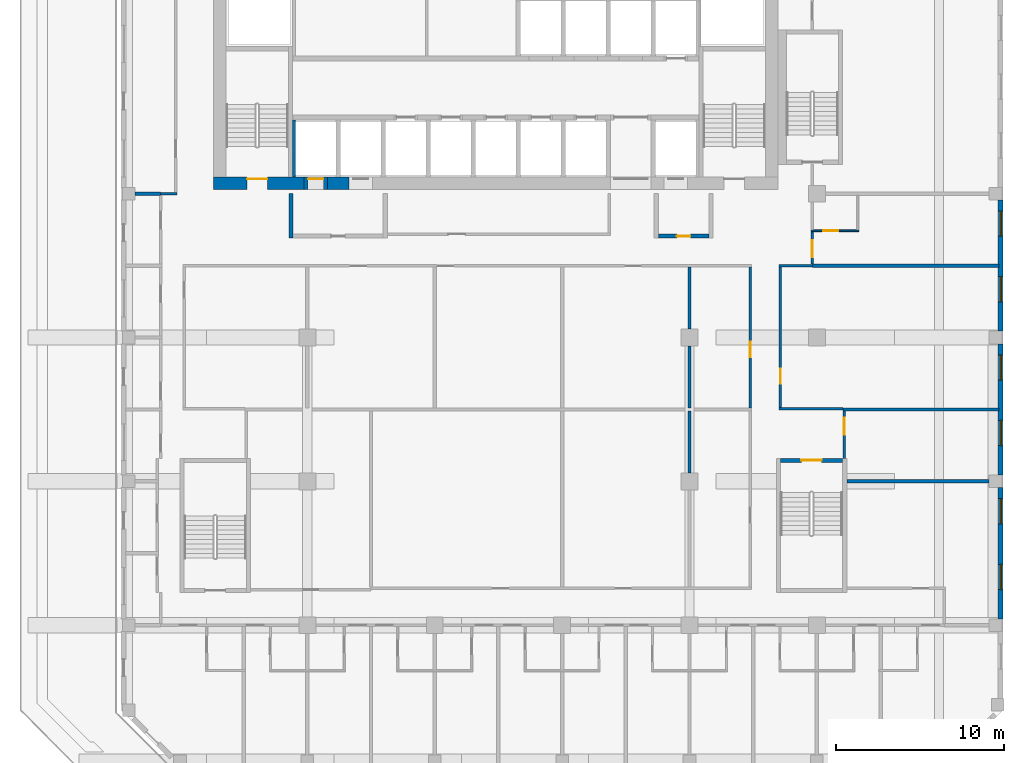
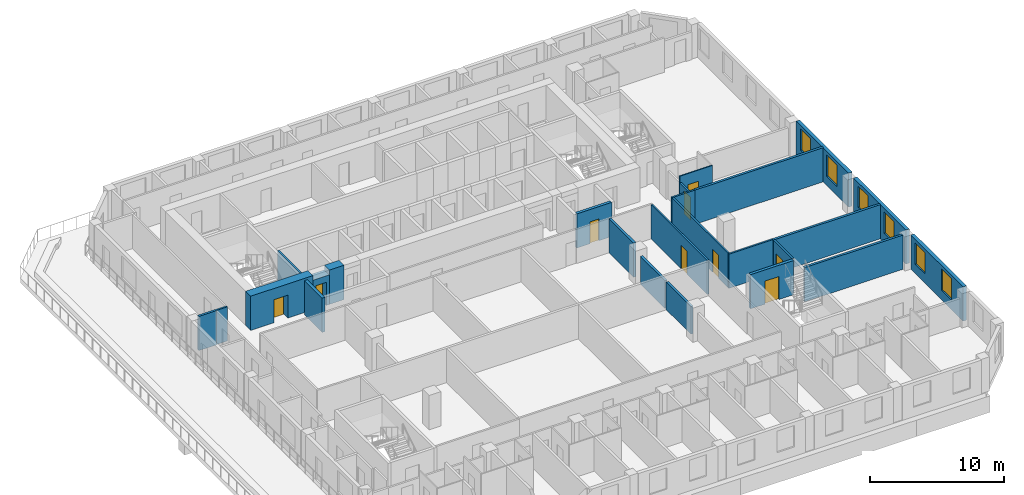
# One storey, part 6 of 16: 25 walls, 9 doors, 6 windows, 15 openings.
"""IFC4 building model written with IfcOpenShell, lengths in metres."""

from ifc_helpers import new_model, si_unit, direction, frame, frame_2d, origin, place, context, subcontext, project, spatial, rectangle, extrude, source, transform, mapped, material, layer, layer_set, type_object, element, fill, save


model = new_model("IFC4")

# Units and contexts
model_context = context("Model", 3, precision=1e-05, world=origin(), true_north=direction((0.0, 1.0)))
body_context = subcontext(model_context, "Body", "Model", "MODEL_VIEW")
ifc_project = project(units=[si_unit("LENGTHUNIT", "METRE"), si_unit("AREAUNIT", "SQUARE_METRE"), si_unit("VOLUMEUNIT", "CUBIC_METRE"), si_unit("PLANEANGLEUNIT", "RADIAN"), si_unit("MASSUNIT", "GRAM", prefix="KILO")], contexts=[model_context])

# Site, building, storey
site_placement = place(None, origin())
site = spatial("IfcSite", under=ifc_project, at=site_placement, CompositionType="ELEMENT")
building_placement = place(site_placement, origin())
building = spatial("IfcBuilding", under=site, at=building_placement, Name="Kilnfold Tower and Market Hall", CompositionType="ELEMENT")
storey_placement = place(building_placement, frame((0.0, 0.0, 199.89990234375)))
storey = spatial("IfcBuildingStorey", under=building, at=storey_placement, Name="L48", CompositionType="ELEMENT", Elevation=199.89990234375)

# Wall
ifc_material_1 = material(Name="Gypsum board on steel studs", Category="steel")
ifc_layer_1 = layer(ifc_material_1, 0.14990234375)
ifc_layer_set_1 = layer_set([ifc_layer_1], Name="Gypsum board on steel studs")
wall_type_1 = type_object("IfcWallType", Name="WALL CORRIDOR 150", PredefinedType="PARTITIONING", material=ifc_layer_set_1)
wall_1_placement = place(storey_placement, frame((-17.925048828125, 8.0, 0.0), z_axis=(0.0, 0.0, 1.0), x_axis=(-1.0, 0.0, 0.0)))
element("IfcWall", 1, at=wall_1_placement, inside=storey, type_object=wall_type_1, Name="Partition LY30.7", PredefinedType="PARTITIONING", context=body_context, shape_type="SweptSolid", body=[
    extrude(rectangle(XDim=0.975830078125, YDim=0.14990234375, at=frame_2d((0.48779296875, 0.0))), origin(), (0.0, 0.0, 1.0), 3.1201171875),
])

# Wall, opening, door
wall_2_placement = place(storey_placement, frame((19.89990234375, 3.80908203125, 0.0), z_axis=(0.0, 0.0, 1.0), x_axis=(0.0, 1.0, 0.0)))
wall_2 = element("IfcWall", 2, at=wall_2_placement, inside=storey, type_object=wall_type_1, Name="Partition LY30.18", PredefinedType="PARTITIONING", context=body_context, shape_type="SweptSolid", body=[
    extrude(rectangle(XDim=1.950927734375, YDim=0.14990234375, at=frame_2d((0.9755859375, 0.0))), origin(), (0.0, 0.0, 1.0), 2.52001953125),
])
opening_1_placement = place(wall_2_placement, frame((0.419921875, 0.0, 0.0)))
opening_1 = element("IfcOpeningElement", 3, at=opening_1_placement, cuts=wall_2, Name="Opening D1", PredefinedType="OPENING", context=body_context, shape_type="SweptSolid", body=[
    extrude(rectangle(XDim=1.0, YDim=2.10009765625, at=frame_2d((0.5, 1.050048828125))), frame((0.0, 0.0849609375, 0.0), z_axis=(0.0, -1.0, 0.0), x_axis=(1.0, 0.0, 0.0)), (0.0, 0.0, 1.0), 0.169921875),
])
ifc_material_2 = material(Name="Timber veneer door leaf in steel frame", Category="steel")
door_type_1 = type_object("IfcDoorType", Name="DOOR ENTRY 1000 X2100", OperationType="NOTDEFINED", PredefinedType="DOOR", material=ifc_material_2)
door_1_placement = place(opening_1_placement, origin())
door_1 = element("IfcDoor", 4, at=door_1_placement, inside=storey, type_object=door_type_1, Name="Door D1", OperationType="SINGLE_SWING_LEFT", OverallHeight=2.10009765625, OverallWidth=1.0, PredefinedType="DOOR", context=body_context, shape_type="SweptSolid", body=[
    extrude(rectangle(XDim=1.0, YDim=2.10009765625, at=frame_2d((0.5, 1.050048828125))), frame((0.0, 0.02490234375, 0.0), z_axis=(0.0, -1.0, 0.0), x_axis=(1.0, 0.0, 0.0)), (0.0, 0.0, 1.0), 0.050048828125),
])
fill(opening_1, door_1)

# Wall
wall_3_placement = place(storey_placement, frame((17.925048828125, 3.699951171875, 0.0), z_axis=(0.0, 0.0, 1.0), x_axis=(1.0, 0.0, 0.0)))
element("IfcWall", 5, at=wall_3_placement, inside=storey, type_object=wall_type_1, Name="Partition LY30.25", PredefinedType="PARTITIONING", context=body_context, shape_type="SweptSolid", body=[
    extrude(rectangle(XDim=1.974853515625, YDim=0.14990234375, at=frame_2d((0.9873046875, 0.0))), origin(), (0.0, 0.0, 1.0), 3.1201171875),
])

# Wall, opening, door
wall_4_placement = place(storey_placement, frame((18.0, -4.72509765625, 0.0), z_axis=(0.0, 0.0, 1.0), x_axis=(0.0, 1.0, 0.0)))
wall_4 = element("IfcWall", 6, at=wall_4_placement, inside=storey, type_object=wall_type_1, Name="Partition LY30.26", PredefinedType="PARTITIONING", context=body_context, shape_type="SweptSolid", body=[
    extrude(rectangle(XDim=8.35009765625, YDim=0.14990234375, at=frame_2d((4.175048828125, 0.0))), origin(), (0.0, 0.0, 1.0), 3.1201171875),
])
opening_2_placement = place(wall_4_placement, frame((1.408935546875, 0.0, 0.0)))
opening_2 = element("IfcOpeningElement", 7, at=opening_2_placement, cuts=wall_4, Name="Opening D2", PredefinedType="OPENING", context=body_context, shape_type="SweptSolid", body=[
    extrude(rectangle(XDim=0.89990234375, YDim=2.10009765625, at=frame_2d((0.449951171875, 1.050048828125))), frame((0.0, 0.0849609375, 0.0), z_axis=(0.0, -1.0, 0.0), x_axis=(1.0, 0.0, 0.0)), (0.0, 0.0, 1.0), 0.169921875),
])
ifc_material_3 = material(Name="Timber veneer door leaf in steel frame", Category="steel")
door_type_2 = type_object("IfcDoorType", Name="DOOR ROOM 900 X2100", OperationType="NOTDEFINED", PredefinedType="DOOR", material=ifc_material_3)
door_2_placement = place(opening_2_placement, origin())
door_2 = element("IfcDoor", 8, at=door_2_placement, inside=storey, type_object=door_type_2, Name="Door D2", OperationType="SINGLE_SWING_LEFT", OverallHeight=2.10009765625, OverallWidth=0.89990234375, PredefinedType="DOOR", context=body_context, shape_type="SweptSolid", body=[
    extrude(rectangle(XDim=0.89990234375, YDim=2.10009765625, at=frame_2d((0.449951171875, 1.050048828125))), frame((0.0, 0.02490234375, 0.0), z_axis=(0.0, -1.0, 0.0), x_axis=(1.0, 0.0, 0.0)), (0.0, 0.0, 1.0), 0.050048828125),
])
fill(opening_2, door_2)

# Wall
wall_5_placement = place(storey_placement, frame((17.925048828125, -4.800048828125, 0.0), z_axis=(0.0, 0.0, 1.0), x_axis=(1.0, 0.0, 0.0)))
element("IfcWall", 9, at=wall_5_placement, inside=storey, type_object=wall_type_1, Name="Partition LY30.27", PredefinedType="PARTITIONING", context=body_context, shape_type="SweptSolid", body=[
    extrude(rectangle(XDim=3.802001953125, YDim=0.14990234375, at=frame_2d((1.90087890625, 0.0))), origin(), (0.0, 0.0, 1.0), 3.1201171875),
])

# Wall, opening, door
wall_6_placement = place(storey_placement, frame((21.800048828125, -7.75, 0.0), z_axis=(0.0, 0.0, 1.0), x_axis=(0.0, 1.0, 0.0)))
wall_6 = element("IfcWall", 10, at=wall_6_placement, inside=storey, type_object=wall_type_1, Name="Partition LY30.28", PredefinedType="PARTITIONING", context=body_context, shape_type="SweptSolid", body=[
    extrude(rectangle(XDim=2.81689453125, YDim=0.14990234375, at=frame_2d((1.408447265625, 0.0))), origin(), (0.0, 0.0, 1.0), 3.1201171875),
])
opening_3_placement = place(wall_6_placement, frame((1.4150390625, 0.0, 0.0)))
opening_3 = element("IfcOpeningElement", 11, at=opening_3_placement, cuts=wall_6, Name="Opening D4", PredefinedType="OPENING", context=body_context, shape_type="SweptSolid", body=[
    extrude(rectangle(XDim=1.0, YDim=2.10009765625, at=frame_2d((0.5, 1.050048828125))), frame((0.0, 0.0849609375, 0.0), z_axis=(0.0, -1.0, 0.0), x_axis=(1.0, 0.0, 0.0)), (0.0, 0.0, 1.0), 0.169921875),
])
ifc_material_4 = material(Name="Timber veneer door leaf in steel frame", Category="steel")
door_type_3 = type_object("IfcDoorType", Name="DOOR SERVICE 1000 X2100", OperationType="NOTDEFINED", PredefinedType="DOOR", material=ifc_material_4)
door_3_placement = place(opening_3_placement, origin())
door_3 = element("IfcDoor", 12, at=door_3_placement, inside=storey, type_object=door_type_3, Name="Door D4", OperationType="SINGLE_SWING_LEFT", OverallHeight=2.10009765625, OverallWidth=1.0, PredefinedType="DOOR", context=body_context, shape_type="SweptSolid", body=[
    extrude(rectangle(XDim=1.0, YDim=2.10009765625, at=frame_2d((0.5, 1.050048828125))), frame((0.0, 0.02490234375, 0.0), z_axis=(0.0, -1.0, 0.0), x_axis=(1.0, 0.0, 0.0)), (0.0, 0.0, 1.0), 0.050048828125),
])
fill(opening_3, door_3)

wall_7_placement = place(storey_placement, frame((16.199951171875, -4.7529296875, 0.0), z_axis=(0.0, 0.0, 1.0), x_axis=(0.0, 1.0, 0.0)))
wall_7 = element("IfcWall", 13, at=wall_7_placement, inside=storey, type_object=wall_type_1, Name="Partition LY30.37", PredefinedType="PARTITIONING", context=body_context, shape_type="SweptSolid", body=[
    extrude(rectangle(XDim=8.3779296875, YDim=0.14990234375, at=frame_2d((4.18896484375, 0.0))), origin(), (0.0, 0.0, 1.0), 3.1201171875),
])
opening_4_placement = place(wall_7_placement, frame((3.031005859375, 0.0, 0.0)))
opening_4 = element("IfcOpeningElement", 14, at=opening_4_placement, cuts=wall_7, Name="Opening D2", PredefinedType="OPENING", context=body_context, shape_type="SweptSolid", body=[
    extrude(rectangle(XDim=0.89990234375, YDim=2.10009765625, at=frame_2d((0.449951171875, 1.050048828125))), frame((0.0, 0.0849609375, 0.0), z_axis=(0.0, -1.0, 0.0), x_axis=(1.0, 0.0, 0.0)), (0.0, 0.0, 1.0), 0.169921875),
])
door_4_placement = place(opening_4_placement, origin())
door_4 = element("IfcDoor", 15, at=door_4_placement, inside=storey, type_object=door_type_2, Name="Door D2", OperationType="SINGLE_SWING_LEFT", OverallHeight=2.10009765625, OverallWidth=0.89990234375, PredefinedType="DOOR", context=body_context, shape_type="SweptSolid", body=[
    extrude(rectangle(XDim=0.89990234375, YDim=2.10009765625, at=frame_2d((0.449951171875, 1.050048828125))), frame((0.0, 0.02490234375, 0.0), z_axis=(0.0, -1.0, 0.0), x_axis=(1.0, 0.0, 0.0)), (0.0, 0.0, 1.0), 0.050048828125),
])
fill(opening_4, door_4)

ifc_material_5 = material(Name="Gypsum board on steel studs", Category="steel")
ifc_layer_2 = layer(ifc_material_5, 0.10009765625)
ifc_layer_set_2 = layer_set([ifc_layer_2], Name="Gypsum board on steel studs")
wall_type_2 = type_object("IfcWallType", Name="WALL PARTITION 100", PredefinedType="PARTITIONING", material=ifc_layer_set_2)
wall_8_placement = place(storey_placement, frame((22.652099609375, 5.800048828125, 0.0), z_axis=(0.0, 0.0, 1.0), x_axis=(-1.0, 0.0, 0.0)))
wall_8 = element("IfcWall", 16, at=wall_8_placement, inside=storey, type_object=wall_type_2, Name="Partition LY30.89", PredefinedType="PARTITIONING", context=body_context, shape_type="SweptSolid", body=[
    extrude(rectangle(XDim=2.8251953125, YDim=0.10009765625, at=frame_2d((1.41259765625, 0.0))), origin(), (0.0, 0.0, 1.0), 3.1201171875),
])
opening_5_placement = place(wall_8_placement, frame((1.217041015625, 0.0, 0.0)))
opening_5 = element("IfcOpeningElement", 17, at=opening_5_placement, cuts=wall_8, Name="Opening D3", PredefinedType="OPENING", context=body_context, shape_type="SweptSolid", body=[
    extrude(rectangle(XDim=0.89990234375, YDim=2.10009765625, at=frame_2d((0.449951171875, 1.050048828125))), frame((0.0, 0.06005859375, 0.0), z_axis=(0.0, -1.0, 0.0), x_axis=(1.0, 0.0, 0.0)), (0.0, 0.0, 1.0), 0.1201171875),
])
ifc_material_6 = material(Name="Timber veneer door leaf in steel frame", Category="steel")
door_type_4 = type_object("IfcDoorType", Name="DOOR WC 900 X2100", OperationType="NOTDEFINED", PredefinedType="DOOR", material=ifc_material_6)
door_5_placement = place(opening_5_placement, origin())
door_5 = element("IfcDoor", 18, at=door_5_placement, inside=storey, type_object=door_type_4, Name="Door D3", OperationType="SINGLE_SWING_LEFT", OverallHeight=2.10009765625, OverallWidth=0.89990234375, PredefinedType="DOOR", context=body_context, shape_type="SweptSolid", body=[
    extrude(rectangle(XDim=0.89990234375, YDim=2.10009765625, at=frame_2d((0.449951171875, 1.050048828125))), frame((0.0, 0.02490234375, 0.0), z_axis=(0.0, -1.0, 0.0), x_axis=(1.0, 0.0, 0.0)), (0.0, 0.0, 1.0), 0.050048828125),
])
fill(opening_5, door_5)

# Walls
ifc_material_7 = material(Name="Gypsum board on steel studs", Category="steel")
ifc_layer_3 = layer(ifc_material_7, 0.199951171875)
ifc_layer_set_3 = layer_set([ifc_layer_3], Name="Gypsum board on steel studs")
wall_type_3 = type_object("IfcWallType", Name="WALL PARTY 200", PredefinedType="PARTITIONING", material=ifc_layer_set_3)
wall_9_placement = place(storey_placement, frame((-20.425048828125, 8.0, 0.0), z_axis=(0.0, 0.0, 1.0), x_axis=(0.999999794741, 0.000640717472, 0.0)))
element("IfcWall", 19, at=wall_9_placement, inside=storey, type_object=wall_type_3, Name="Partition LY30.81", PredefinedType="PARTITIONING", context=body_context, shape_type="SweptSolid", body=[
    extrude(rectangle(XDim=1.524169921875, YDim=0.199951171875, at=frame_2d((0.76220703125, 0.0))), origin(), (0.0, 0.0, 1.0), 3.1201171875),
])
wall_10_placement = place(storey_placement, frame((19.902099609375, 3.718994140625, 0.0), z_axis=(0.0, 0.0, 1.0), x_axis=(1.0, 0.0, 0.0)))
element("IfcWall", 20, at=wall_10_placement, inside=storey, type_object=wall_type_3, Name="Partition LY30.91", PredefinedType="PARTITIONING", context=body_context, shape_type="SweptSolid", body=[
    extrude(rectangle(XDim=11.097900390625, YDim=0.199951171875, at=frame_2d((5.548828125, 0.0))), origin(), (0.0, 0.0, 1.0), 3.1201171875),
])
wall_11_placement = place(storey_placement, frame((21.72705078125, -4.843017578125, 0.0), z_axis=(0.0, 0.0, 1.0), x_axis=(1.0, 0.0, 0.0)))
element("IfcWall", 21, at=wall_11_placement, inside=storey, type_object=wall_type_3, Name="Partition LY30.97", PredefinedType="PARTITIONING", context=body_context, shape_type="SweptSolid", body=[
    extrude(rectangle(XDim=9.27294921875, YDim=0.199951171875, at=frame_2d((4.636474609375, 0.0))), origin(), (0.0, 0.0, 1.0), 3.1201171875),
])
wall_12_placement = place(storey_placement, frame((21.949951171875, -9.125, 0.0), z_axis=(0.0, 0.0, 1.0), x_axis=(1.0, 0.0, 0.0)))
element("IfcWall", 22, at=wall_12_placement, inside=storey, type_object=wall_type_3, Name="Partition LY30.98", PredefinedType="PARTITIONING", context=body_context, shape_type="SweptSolid", body=[
    extrude(rectangle(XDim=8.47509765625, YDim=0.199951171875, at=frame_2d((4.237548828125, 0.0))), origin(), (0.0, 0.0, 1.0), 3.1201171875),
])
wall_13_placement = place(storey_placement, frame((12.5830078125, -0.06201171875, 0.0), z_axis=(0.0, 0.0, 1.0), x_axis=(0.0, 1.0, 0.0)))
element("IfcWall", 23, at=wall_13_placement, inside=storey, type_object=wall_type_3, Name="Partition LY30.115", PredefinedType="PARTITIONING", context=body_context, shape_type="SweptSolid", body=[
    extrude(rectangle(XDim=3.68505859375, YDim=0.199951171875, at=frame_2d((1.842529296875, 0.0))), origin(), (0.0, 0.0, 1.0), 3.1201171875),
])
wall_14_placement = place(storey_placement, frame((12.5830078125, -4.742919921875, 0.0), z_axis=(0.0, 0.0, 1.0), x_axis=(0.0, 1.0, 0.0)))
element("IfcWall", 24, at=wall_14_placement, inside=storey, type_object=wall_type_3, Name="Partition LY30.116", PredefinedType="PARTITIONING", context=body_context, shape_type="SweptSolid", body=[
    extrude(rectangle(XDim=3.680908203125, YDim=0.199951171875, at=frame_2d((1.84033203125, 0.0))), origin(), (0.0, 0.0, 1.0), 2.52001953125),
])
wall_15_placement = place(storey_placement, frame((12.5830078125, -8.625, 0.0), z_axis=(0.0, 0.0, 1.0), x_axis=(0.0, 1.0, 0.0)))
element("IfcWall", 25, at=wall_15_placement, inside=storey, type_object=wall_type_3, Name="Partition LY30.119", PredefinedType="PARTITIONING", context=body_context, shape_type="SweptSolid", body=[
    extrude(rectangle(XDim=3.681884765625, YDim=0.199951171875, at=frame_2d((1.8408203125, 0.0))), origin(), (0.0, 0.0, 1.0), 2.52001953125),
])

# Wall, opening, door
ifc_material_8 = material(Name="Concrete C60", Category="concrete")
ifc_layer_4 = layer(ifc_material_8, 0.25)
ifc_layer_set_4 = layer_set([ifc_layer_4], Name="Concrete C60")
wall_type_4 = type_object("IfcWallType", Name="CORE WALL 250 C60", PredefinedType="SHEAR", material=ifc_layer_set_4)
shared_shape_1 = source(origin(), body_context, "Body", "SweptSolid", [
    extrude(rectangle(XDim=3.699951171875, YDim=0.25, at=frame_2d((1.85009765625, 0.0))), origin(), (0.0, 0.0, 1.0), 3.1201171875),
])
wall_16_placement = place(storey_placement, frame((18.0, -7.875, 0.0), z_axis=(0.0, 0.0, 1.0), x_axis=(1.0, 0.0, 0.0)))
wall_16 = element("IfcWall", 26, at=wall_16_placement, inside=storey, type_object=wall_type_4, Name="Stair enclosure ST4", PredefinedType="SHEAR", context=body_context, shape_type="MappedRepresentation", body=[
    mapped(shared_shape_1, transform((0.0, 0.0, 0.0))),
])
opening_6_placement = place(wall_16_placement, frame((1.25, 0.0, 0.0)))
opening_6 = element("IfcOpeningElement", 27, at=opening_6_placement, cuts=wall_16, Name="Opening SD1", PredefinedType="OPENING", context=body_context, shape_type="SweptSolid", body=[
    extrude(rectangle(XDim=1.199951171875, YDim=2.10009765625, at=frame_2d((0.60009765625, 1.050048828125))), frame((0.0, 0.135009765625, 0.0), z_axis=(0.0, -1.0, 0.0), x_axis=(1.0, 0.0, 0.0)), (0.0, 0.0, 1.0), 0.27001953125),
])
ifc_material_9 = material(Name="Steel door set with fire-resisting leaf", Category="steel")
door_type_5 = type_object("IfcDoorType", Name="STAIR FLOOR DOOR 1200X2100", OperationType="NOTDEFINED", PredefinedType="DOOR", material=ifc_material_9)
door_6_placement = place(opening_6_placement, origin())
door_6 = element("IfcDoor", 28, at=door_6_placement, inside=storey, type_object=door_type_5, Name="Exit stair ST4 door", OperationType="DOUBLE_DOOR_SINGLE_SWING", OverallHeight=2.10009765625, OverallWidth=1.199951171875, PredefinedType="DOOR", context=body_context, shape_type="SweptSolid", body=[
    extrude(rectangle(XDim=1.199951171875, YDim=2.10009765625, at=frame_2d((0.60009765625, 1.050048828125))), frame((0.0, 0.02490234375, 0.0), z_axis=(0.0, -1.0, 0.0), x_axis=(1.0, 0.0, 0.0)), (0.0, 0.0, 1.0), 0.050048828125),
])
fill(opening_6, door_6)

ifc_material_10 = material(Name="Concrete C60", Category="concrete")
ifc_layer_5 = layer(ifc_material_10, 0.75)
ifc_layer_set_5 = layer_set([ifc_layer_5], Name="Concrete C60")
wall_type_5 = type_object("IfcWallType", Name="CORE WALL 750 C60", PredefinedType="SHEAR", material=ifc_layer_set_5)
shared_shape_2 = source(origin(), body_context, "Body", "SweptSolid", [
    extrude(rectangle(XDim=5.3798828125, YDim=0.75, at=frame_2d((2.68994140625, 0.0))), origin(), (0.0, 0.0, 1.0), 3.1201171875),
])
wall_17_placement = place(storey_placement, frame((-15.75, 8.625, 0.0), z_axis=(0.0, 0.0, 1.0), x_axis=(1.0, 0.0, 0.0)))
wall_17 = element("IfcWall", 29, at=wall_17_placement, inside=storey, type_object=wall_type_5, Name="Core outer wall south", PredefinedType="SHEAR", context=body_context, shape_type="MappedRepresentation", body=[
    mapped(shared_shape_2, transform((0.0, 0.0, 0.0))),
])
opening_7_placement = place(wall_17_placement, frame((2.0, 0.0, 0.0)))
opening_7 = element("IfcOpeningElement", 30, at=opening_7_placement, cuts=wall_17, Name="Opening SD1", PredefinedType="OPENING", context=body_context, shape_type="SweptSolid", body=[
    extrude(rectangle(XDim=1.199951171875, YDim=2.10009765625, at=frame_2d((0.60009765625, 1.050048828125))), frame((0.0, 0.385009765625, 0.0), z_axis=(0.0, -1.0, 0.0), x_axis=(1.0, 0.0, 0.0)), (0.0, 0.0, 1.0), 0.77001953125),
])
door_7_placement = place(opening_7_placement, origin())
door_7 = element("IfcDoor", 31, at=door_7_placement, inside=storey, type_object=door_type_5, Name="Exit stair ST1 door", OperationType="DOUBLE_DOOR_SINGLE_SWING", OverallHeight=2.10009765625, OverallWidth=1.199951171875, PredefinedType="DOOR", context=body_context, shape_type="SweptSolid", body=[
    extrude(rectangle(XDim=1.199951171875, YDim=2.10009765625, at=frame_2d((0.60009765625, 1.050048828125))), frame((0.0, 0.27978515625, 0.0), z_axis=(0.0, -1.0, 0.0), x_axis=(1.0, 0.0, 0.0)), (0.0, 0.0, 1.0), 0.050048828125),
])
fill(opening_7, door_7)

# Wall
shared_shape_3 = source(origin(), body_context, "Body", "SweptSolid", [
    extrude(rectangle(XDim=1.280029296875, YDim=0.75, at=frame_2d((0.64013671875, 0.0))), origin(), (0.0, 0.0, 1.0), 3.1201171875),
])
wall_18_placement = place(storey_placement, frame((-8.969970703125, 8.625, 0.0), z_axis=(0.0, 0.0, 1.0), x_axis=(1.0, 0.0, 0.0)))
element("IfcWall", 32, at=wall_18_placement, inside=storey, type_object=wall_type_5, Name="Core outer wall south", PredefinedType="SHEAR", context=body_context, shape_type="MappedRepresentation", body=[
    mapped(shared_shape_3, transform((0.0, 0.0, 0.0))),
])

# Wall, openings, windows
ifc_material_11 = material(Name="Precast concrete C50/60", Category="concrete")
ifc_layer_6 = layer(ifc_material_11, 0.300048828125)
ifc_layer_set_6 = layer_set([ifc_layer_6], Name="Precast concrete C50/60")
wall_type_6 = type_object("IfcWallType", Name="PRECAST WALL 300", PredefinedType="SOLIDWALL", material=ifc_layer_set_6)
shared_shape_4 = source(origin(), body_context, "Body", "SweptSolid", [
    extrude(rectangle(XDim=7.8125, YDim=0.300048828125, at=frame_2d((3.90625, 0.0))), origin(), (0.0, 0.0, 1.0), 3.1201171875),
])
wall_19_placement = place(storey_placement, frame((31.10009765625, -17.3125, 0.0), z_axis=(0.0, 0.0, 1.0), x_axis=(0.0, 1.0, 0.0)))
wall_19 = element("IfcWall", 33, at=wall_19_placement, inside=storey, type_object=wall_type_6, Name="External wall L48 E", PredefinedType="SOLIDWALL", context=body_context, shape_type="MappedRepresentation", body=[
    mapped(shared_shape_4, transform((0.0, 0.0, 0.0))),
])
opening_8_placement = place(wall_19_placement, frame((1.75, 0.0, 0.85009765625)))
opening_8 = element("IfcOpeningElement", 34, at=opening_8_placement, cuts=wall_19, Name="Opening W4", PredefinedType="OPENING", context=body_context, shape_type="SweptSolid", body=[
    extrude(rectangle(XDim=1.5, YDim=1.949951171875, at=frame_2d((0.75, 0.97509765625))), frame((0.0, 0.16015625, 0.0), z_axis=(0.0, -1.0, 0.0), x_axis=(1.0, 0.0, 0.0)), (0.0, 0.0, 1.0), 0.320068359375),
])
opening_9_placement = place(wall_19_placement, frame((5.65625, 0.0, 0.85009765625)))
opening_9 = element("IfcOpeningElement", 35, at=opening_9_placement, cuts=wall_19, Name="Opening W4", PredefinedType="OPENING", context=body_context, shape_type="SweptSolid", body=[
    extrude(rectangle(XDim=1.5, YDim=1.949951171875, at=frame_2d((0.75, 0.97509765625))), frame((0.0, 0.16015625, 0.0), z_axis=(0.0, -1.0, 0.0), x_axis=(1.0, 0.0, 0.0)), (0.0, 0.0, 1.0), 0.320068359375),
])
ifc_material_12 = material(Name="Aluminium frame and double glazing", Category="aluminium")
window_type = type_object("IfcWindowType", Name="WINDOW W4 1500X1950", PartitioningType="SINGLE_PANEL", PredefinedType="WINDOW", material=ifc_material_12)
window_1_placement = place(opening_8_placement, origin())
window_1 = element("IfcWindow", 36, at=window_1_placement, inside=storey, type_object=window_type, Name="Window W4 L48 E-1", OverallHeight=1.949951171875, OverallWidth=1.5, PartitioningType="SINGLE_PANEL", PredefinedType="WINDOW", context=body_context, shape_type="SweptSolid", body=[
    extrude(rectangle(XDim=1.5, YDim=1.949951171875, at=frame_2d((0.75, 0.97509765625))), frame((0.0, 0.030029296875, 0.0), z_axis=(0.0, -1.0, 0.0), x_axis=(1.0, 0.0, 0.0)), (0.0, 0.0, 1.0), 0.06005859375),
])
fill(opening_8, window_1)
window_2_placement = place(opening_9_placement, origin())
window_2 = element("IfcWindow", 37, at=window_2_placement, inside=storey, type_object=window_type, Name="Window W4 L48 E-2", OverallHeight=1.949951171875, OverallWidth=1.5, PartitioningType="SINGLE_PANEL", PredefinedType="WINDOW", context=body_context, shape_type="SweptSolid", body=[
    extrude(rectangle(XDim=1.5, YDim=1.949951171875, at=frame_2d((0.75, 0.97509765625))), frame((0.0, 0.030029296875, 0.0), z_axis=(0.0, -1.0, 0.0), x_axis=(1.0, 0.0, 0.0)), (0.0, 0.0, 1.0), 0.06005859375),
])
fill(opening_9, window_2)

wall_20_placement = place(storey_placement, frame((31.10009765625, -8.75, 0.0), z_axis=(0.0, 0.0, 1.0), x_axis=(0.0, 1.0, 0.0)))
wall_20 = element("IfcWall", 38, at=wall_20_placement, inside=storey, type_object=wall_type_6, Name="External wall L48 E", PredefinedType="SOLIDWALL", context=body_context, shape_type="MappedRepresentation", body=[
    mapped(shared_shape_4, transform((0.0, 0.0, 0.0))),
])
opening_10_placement = place(wall_20_placement, frame((1.75, 0.0, 0.85009765625)))
opening_10 = element("IfcOpeningElement", 39, at=opening_10_placement, cuts=wall_20, Name="Opening W4", PredefinedType="OPENING", context=body_context, shape_type="SweptSolid", body=[
    extrude(rectangle(XDim=1.5, YDim=1.949951171875, at=frame_2d((0.75, 0.97509765625))), frame((0.0, 0.16015625, 0.0), z_axis=(0.0, -1.0, 0.0), x_axis=(1.0, 0.0, 0.0)), (0.0, 0.0, 1.0), 0.320068359375),
])
opening_11_placement = place(wall_20_placement, frame((5.65625, 0.0, 0.85009765625)))
opening_11 = element("IfcOpeningElement", 40, at=opening_11_placement, cuts=wall_20, Name="Opening W4", PredefinedType="OPENING", context=body_context, shape_type="SweptSolid", body=[
    extrude(rectangle(XDim=1.5, YDim=1.949951171875, at=frame_2d((0.75, 0.97509765625))), frame((0.0, 0.16015625, 0.0), z_axis=(0.0, -1.0, 0.0), x_axis=(1.0, 0.0, 0.0)), (0.0, 0.0, 1.0), 0.320068359375),
])
window_3_placement = place(opening_10_placement, origin())
window_3 = element("IfcWindow", 41, at=window_3_placement, inside=storey, type_object=window_type, Name="Window W4 L48 E-1", OverallHeight=1.949951171875, OverallWidth=1.5, PartitioningType="SINGLE_PANEL", PredefinedType="WINDOW", context=body_context, shape_type="SweptSolid", body=[
    extrude(rectangle(XDim=1.5, YDim=1.949951171875, at=frame_2d((0.75, 0.97509765625))), frame((0.0, 0.030029296875, 0.0), z_axis=(0.0, -1.0, 0.0), x_axis=(1.0, 0.0, 0.0)), (0.0, 0.0, 1.0), 0.06005859375),
])
fill(opening_10, window_3)
window_4_placement = place(opening_11_placement, origin())
window_4 = element("IfcWindow", 42, at=window_4_placement, inside=storey, type_object=window_type, Name="Window W4 L48 E-2", OverallHeight=1.949951171875, OverallWidth=1.5, PartitioningType="SINGLE_PANEL", PredefinedType="WINDOW", context=body_context, shape_type="SweptSolid", body=[
    extrude(rectangle(XDim=1.5, YDim=1.949951171875, at=frame_2d((0.75, 0.97509765625))), frame((0.0, 0.030029296875, 0.0), z_axis=(0.0, -1.0, 0.0), x_axis=(1.0, 0.0, 0.0)), (0.0, 0.0, 1.0), 0.06005859375),
])
fill(opening_11, window_4)

wall_21_placement = place(storey_placement, frame((31.10009765625, -0.1875, 0.0), z_axis=(0.0, 0.0, 1.0), x_axis=(0.0, 1.0, 0.0)))
wall_21 = element("IfcWall", 43, at=wall_21_placement, inside=storey, type_object=wall_type_6, Name="External wall L48 E", PredefinedType="SOLIDWALL", context=body_context, shape_type="MappedRepresentation", body=[
    mapped(shared_shape_4, transform((0.0, 0.0, 0.0))),
])
opening_12_placement = place(wall_21_placement, frame((1.75, 0.0, 0.85009765625)))
opening_12 = element("IfcOpeningElement", 44, at=opening_12_placement, cuts=wall_21, Name="Opening W4", PredefinedType="OPENING", context=body_context, shape_type="SweptSolid", body=[
    extrude(rectangle(XDim=1.5, YDim=1.949951171875, at=frame_2d((0.75, 0.97509765625))), frame((0.0, 0.16015625, 0.0), z_axis=(0.0, -1.0, 0.0), x_axis=(1.0, 0.0, 0.0)), (0.0, 0.0, 1.0), 0.320068359375),
])
opening_13_placement = place(wall_21_placement, frame((5.65625, 0.0, 0.85009765625)))
opening_13 = element("IfcOpeningElement", 45, at=opening_13_placement, cuts=wall_21, Name="Opening W4", PredefinedType="OPENING", context=body_context, shape_type="SweptSolid", body=[
    extrude(rectangle(XDim=1.5, YDim=1.949951171875, at=frame_2d((0.75, 0.97509765625))), frame((0.0, 0.16015625, 0.0), z_axis=(0.0, -1.0, 0.0), x_axis=(1.0, 0.0, 0.0)), (0.0, 0.0, 1.0), 0.320068359375),
])
window_5_placement = place(opening_12_placement, origin())
window_5 = element("IfcWindow", 46, at=window_5_placement, inside=storey, type_object=window_type, Name="Window W4 L48 E-1", OverallHeight=1.949951171875, OverallWidth=1.5, PartitioningType="SINGLE_PANEL", PredefinedType="WINDOW", context=body_context, shape_type="SweptSolid", body=[
    extrude(rectangle(XDim=1.5, YDim=1.949951171875, at=frame_2d((0.75, 0.97509765625))), frame((0.0, 0.030029296875, 0.0), z_axis=(0.0, -1.0, 0.0), x_axis=(1.0, 0.0, 0.0)), (0.0, 0.0, 1.0), 0.06005859375),
])
fill(opening_12, window_5)
window_6_placement = place(opening_13_placement, origin())
window_6 = element("IfcWindow", 47, at=window_6_placement, inside=storey, type_object=window_type, Name="Window W4 L48 E-2", OverallHeight=1.949951171875, OverallWidth=1.5, PartitioningType="SINGLE_PANEL", PredefinedType="WINDOW", context=body_context, shape_type="SweptSolid", body=[
    extrude(rectangle(XDim=1.5, YDim=1.949951171875, at=frame_2d((0.75, 0.97509765625))), frame((0.0, 0.030029296875, 0.0), z_axis=(0.0, -1.0, 0.0), x_axis=(1.0, 0.0, 0.0)), (0.0, 0.0, 1.0), 0.06005859375),
])
fill(opening_13, window_6)

# Wall
ifc_material_13 = material(Name="Gypsum shaft wall system")
ifc_layer_7 = layer(ifc_material_13, 0.25)
ifc_layer_set_7 = layer_set([ifc_layer_7], Name="Gypsum shaft wall system")
wall_type_7 = type_object("IfcWallType", Name="LOBBY WALL 250", PredefinedType="PARTITIONING", material=ifc_layer_set_7)
shared_shape_5 = source(origin(), body_context, "Body", "SweptSolid", [
    extrude(rectangle(XDim=2.64990234375, YDim=0.25, at=frame_2d((1.324951171875, 0.0))), origin(), (0.0, 0.0, 1.0), 3.1201171875),
])
wall_22_placement = place(storey_placement, frame((-11.135009765625, 5.35009765625, 0.0), z_axis=(0.0, 0.0, 1.0), x_axis=(0.0, 1.0, 0.0)))
element("IfcWall", 48, at=wall_22_placement, inside=storey, type_object=wall_type_7, Name="Firefighting lobby wall", PredefinedType="PARTITIONING", context=body_context, shape_type="MappedRepresentation", body=[
    mapped(shared_shape_5, transform((0.0, 0.0, 0.0))),
])

# Wall, opening, door
shared_shape_6 = source(origin(), body_context, "Body", "SweptSolid", [
    extrude(rectangle(XDim=3.0, YDim=0.25, at=frame_2d((1.5, 0.0))), origin(), (0.0, 0.0, 1.0), 3.1201171875),
])
wall_23_placement = place(storey_placement, frame((10.72998046875, 5.47509765625, 0.0), z_axis=(0.0, 0.0, 1.0), x_axis=(1.0, 0.0, 0.0)))
wall_23 = element("IfcWall", 49, at=wall_23_placement, inside=storey, type_object=wall_type_7, Name="Firefighting lobby wall", PredefinedType="PARTITIONING", context=body_context, shape_type="MappedRepresentation", body=[
    mapped(shared_shape_6, transform((0.0, 0.0, 0.0))),
])
opening_14_placement = place(wall_23_placement, frame((1.10009765625, 0.0, 0.0)))
opening_14 = element("IfcOpeningElement", 50, at=opening_14_placement, cuts=wall_23, Name="Opening VD1", PredefinedType="OPENING", context=body_context, shape_type="SweptSolid", body=[
    extrude(rectangle(XDim=0.800048828125, YDim=2.0, at=frame_2d((0.39990234375, 1.0))), frame((0.0, 0.135009765625, 0.0), z_axis=(0.0, -1.0, 0.0), x_axis=(1.0, 0.0, 0.0)), (0.0, 0.0, 1.0), 0.27001953125),
])
ifc_material_14 = material(Name="Steel door set with fire-resisting leaf", Category="steel")
door_type_6 = type_object("IfcDoorType", Name="FIREFIGHTING LOBBY DOOR 800X2000", OperationType="NOTDEFINED", PredefinedType="DOOR", material=ifc_material_14)
door_8_placement = place(opening_14_placement, origin())
door_8 = element("IfcDoor", 51, at=door_8_placement, inside=storey, type_object=door_type_6, Name="Firefighting lobby door", OperationType="SINGLE_SWING_RIGHT", OverallHeight=2.0, OverallWidth=0.800048828125, PredefinedType="DOOR", context=body_context, shape_type="SweptSolid", body=[
    extrude(rectangle(XDim=0.800048828125, YDim=2.0, at=frame_2d((0.39990234375, 1.0))), frame((0.0, 0.02490234375, 0.0), z_axis=(0.0, -1.0, 0.0), x_axis=(1.0, 0.0, 0.0)), (0.0, 0.0, 1.0), 0.050048828125),
])
fill(opening_14, door_8)

# Wall
ifc_material_15 = material(Name="Gypsum shaft wall system")
ifc_layer_8 = layer(ifc_material_15, 0.1650390625)
ifc_layer_set_8 = layer_set([ifc_layer_8], Name="Gypsum shaft wall system")
wall_type_8 = type_object("IfcWallType", Name="SHAFT WALL 165", PredefinedType="PARTITIONING", material=ifc_layer_set_8)
shared_shape_7 = source(origin(), body_context, "Body", "SweptSolid", [
    extrude(rectangle(XDim=3.39990234375, YDim=0.1650390625, at=frame_2d((1.699951171875, 0.0))), origin(), (0.0, 0.0, 1.0), 3.1201171875),
])
wall_24_placement = place(storey_placement, frame((-10.967529296875, 9.0, 0.0), z_axis=(0.0, 0.0, 1.0), x_axis=(0.0, 1.0, 0.0)))
element("IfcWall", 52, at=wall_24_placement, inside=storey, type_object=wall_type_8, Name="Lift shaft wall", PredefinedType="PARTITIONING", context=body_context, shape_type="MappedRepresentation", body=[
    mapped(shared_shape_7, transform((0.0, 0.0, 0.0))),
])

# Wall, opening, door
ifc_material_16 = material(Name="Gypsum shaft wall system")
ifc_layer_9 = layer(ifc_material_16, 0.75)
ifc_layer_set_9 = layer_set([ifc_layer_9], Name="Gypsum shaft wall system")
wall_type_9 = type_object("IfcWallType", Name="LOBBY WALL 750", PredefinedType="PARTITIONING", material=ifc_layer_set_9)
shared_shape_8 = source(origin(), body_context, "Body", "SweptSolid", [
    extrude(rectangle(XDim=1.400146484375, YDim=0.75, at=frame_2d((0.7001953125, 0.0))), origin(), (0.0, 0.0, 1.0), 2.7001953125),
])
wall_25_placement = place(storey_placement, frame((-10.3701171875, 8.625, 0.0), z_axis=(0.0, 0.0, 1.0), x_axis=(1.0, 0.0, 0.0)))
wall_25 = element("IfcWall", 53, at=wall_25_placement, inside=storey, type_object=wall_type_9, Name="Core wall infill", PredefinedType="PARTITIONING", context=body_context, shape_type="MappedRepresentation", body=[
    mapped(shared_shape_8, transform((0.0, 0.0, 0.0))),
])
opening_15_placement = place(wall_25_placement, frame((0.25, 0.0, 0.0)))
opening_15 = element("IfcOpeningElement", 54, at=opening_15_placement, cuts=wall_25, Name="Opening LD1", PredefinedType="OPENING", context=body_context, shape_type="SweptSolid", body=[
    extrude(rectangle(XDim=0.89990234375, YDim=2.10009765625, at=frame_2d((0.449951171875, 1.050048828125))), frame((0.0, 0.385009765625, 0.0), z_axis=(0.0, -1.0, 0.0), x_axis=(1.0, 0.0, 0.0)), (0.0, 0.0, 1.0), 0.77001953125),
])
ifc_material_17 = material(Name="Steel door set with fire-resisting leaf", Category="steel")
door_type_7 = type_object("IfcDoorType", Name="FIREFIGHTING LANDING DOOR 900X2100", OperationType="NOTDEFINED", PredefinedType="DOOR", material=ifc_material_17)
door_9_placement = place(opening_15_placement, origin())
door_9 = element("IfcDoor", 55, at=door_9_placement, inside=storey, type_object=door_type_7, Name="Landing door FF1", OperationType="SLIDING_TO_LEFT", OverallHeight=2.10009765625, OverallWidth=0.89990234375, PredefinedType="DOOR", context=body_context, shape_type="SweptSolid", body=[
    extrude(rectangle(XDim=0.89990234375, YDim=2.10009765625, at=frame_2d((0.449951171875, 1.050048828125))), frame((0.0, 0.27978515625, 0.0), z_axis=(0.0, -1.0, 0.0), x_axis=(1.0, 0.0, 0.0)), (0.0, 0.0, 1.0), 0.050048828125),
])
fill(opening_15, door_9)

save(model, "model.ifc")
